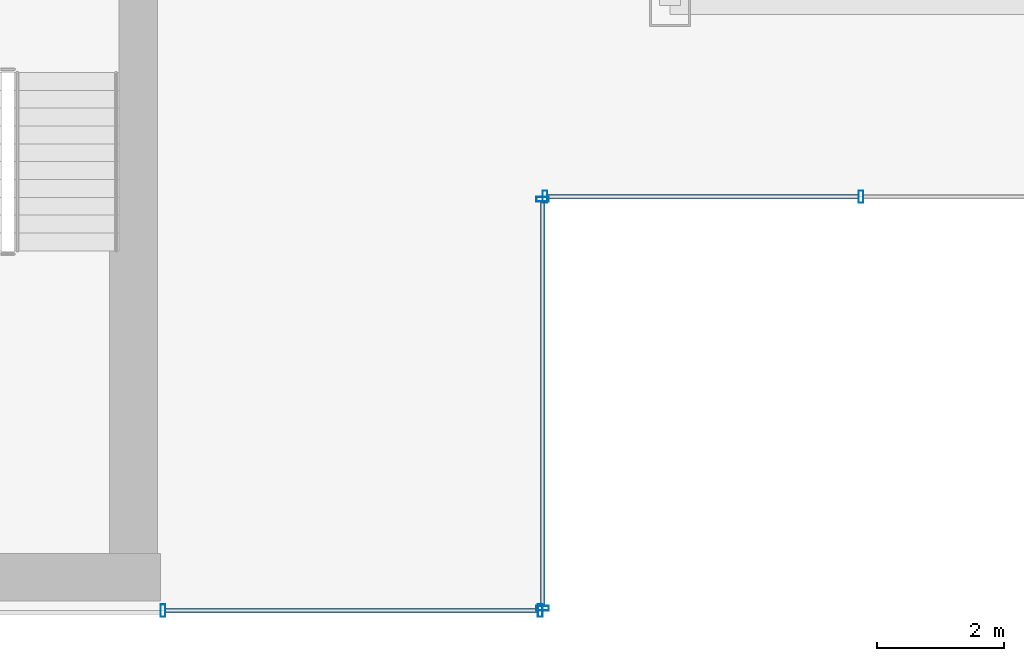
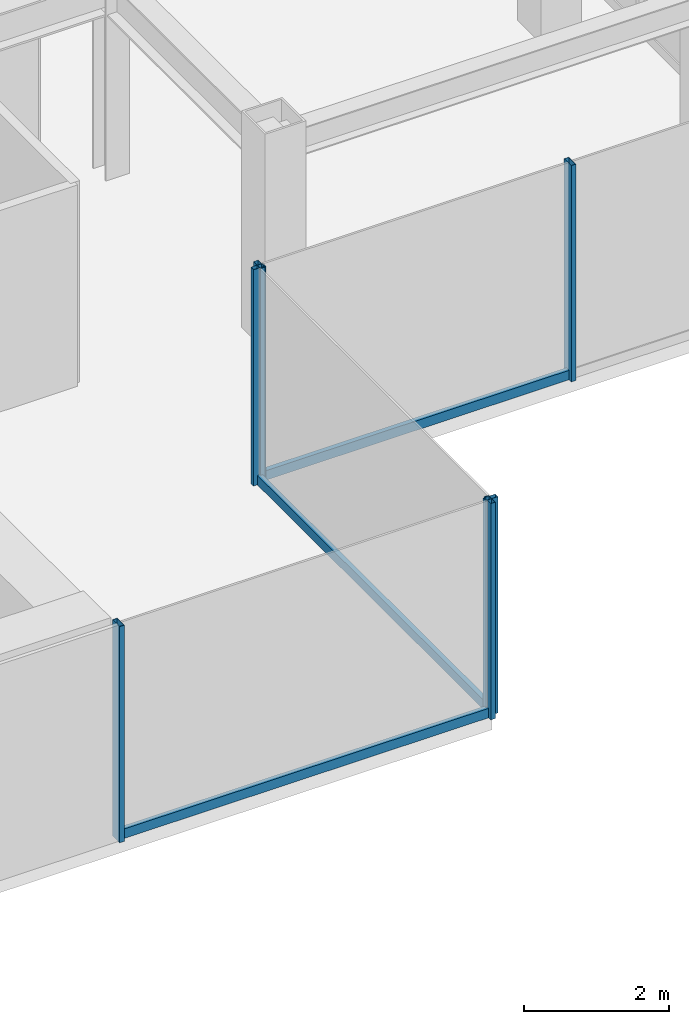
# One storey, part 9 of 25: 9 members, 3 elements without a shape of their own.
"""IFC4 building model written with IfcOpenShell, lengths in metres."""

from ifc_helpers import new_model, si_unit, derived_unit, direction, frame, origin, origin_2d, place, context, subcontext, project, spatial, hollow_rectangle, extrude, source, transform, mapped, material, material_profile, profile_set, type_object, element, aggregate, save


model = new_model("IFC4")

# Units and contexts
model_context = context("Model", 3, precision=1e-05, world=origin(), true_north=direction((0.0, 1.0)))
body_context = subcontext(model_context, "Body", "Model", "MODEL_VIEW")
ifc_project = project(units=[si_unit("LENGTHUNIT", "METRE"), si_unit("AREAUNIT", "SQUARE_METRE"), si_unit("VOLUMEUNIT", "CUBIC_METRE"), si_unit("PLANEANGLEUNIT", "RADIAN"), si_unit("MASSUNIT", "GRAM", prefix="KILO"), derived_unit("THERMALTRANSMITTANCEUNIT", [(si_unit("POWERUNIT", "WATT"), 1), (si_unit("LENGTHUNIT", "METRE"), -2), (si_unit("THERMODYNAMICTEMPERATUREUNIT", "KELVIN"), -1)])], contexts=[model_context])

# Site, building, storey
site_placement = place(None, origin())
site = spatial("IfcSite", under=ifc_project, at=site_placement, CompositionType="ELEMENT")
building_placement = place(site_placement, origin())
building = spatial("IfcBuilding", under=site, at=building_placement, Name="Skarnbrae Concourse Arena and Tower", CompositionType="ELEMENT")
storey_placement = place(building_placement, frame((0.0, 0.0, 155.199951171875)))
storey = spatial("IfcBuildingStorey", under=building, at=storey_placement, Name="L39", CompositionType="ELEMENT", Elevation=155.199951171875)

# Curtain wall, members
ifc_material = material(Name="Bronze anodised aluminium 6063-T6", Category="aluminium")
curtain_wall_type = type_object("IfcCurtainWallType", Name="CW-SYS-04-MIDZONE", PredefinedType="USERDEFINED", material=ifc_material)
curtain_wall_1_placement = place(storey_placement, origin())
curtain_wall_1 = element("IfcCurtainWall", 1, at=curtain_wall_1_placement, inside=storey, type_object=curtain_wall_type, Name="L39 Unitised curtain wall CW-L39-SE-SPINE", ObjectType="UNITISED CURTAIN WALL", PredefinedType="USERDEFINED")
ifc_material_profile_1 = material_profile(ifc_material, hollow_rectangle(XDim=0.074951171875, YDim=0.195068359375, WallThickness=0.00439453125, at=origin_2d()), Name="ALU-MULL-75X195")
ifc_profile_set_1 = profile_set([ifc_material_profile_1], Name="Bronze anodised aluminium 6063-T6")
member_type_1 = type_object("IfcMemberType", Name="CWM-CW-04", PredefinedType="MULLION", material=ifc_profile_set_1)
shared_shape_1 = source(origin(), body_context, "Body", "SweptSolid", [
    extrude(hollow_rectangle(XDim=0.074951171875, YDim=0.195068359375, WallThickness=0.00439453125, at=origin_2d()), origin(), (0.0, 0.0, 1.0), 3.650146484375),
])
member_1_placement = place(storey_placement, frame((34.03759765625, 0.0, 0.0), z_axis=(0.0, 0.0, 1.0), x_axis=(1.0, 0.0, 0.0)))
member_1 = element("IfcMember", 2, at=member_1_placement, type_object=member_type_1, Name="CW-L39-SE-SPINE Mullion 1", PredefinedType="MULLION", context=body_context, shape_type="MappedRepresentation", body=[
    mapped(shared_shape_1, transform((0.0, 0.0, 0.0))),
])
member_2_placement = place(storey_placement, frame((39.96240234375, 0.0, 0.0), z_axis=(0.0, 0.0, 1.0), x_axis=(1.0, 0.0, 0.0)))
member_2 = element("IfcMember", 3, at=member_2_placement, type_object=member_type_1, Name="CW-L39-SE-SPINE Mullion 2", PredefinedType="MULLION", context=body_context, shape_type="MappedRepresentation", body=[
    mapped(shared_shape_1, transform((0.0, 0.0, 0.0))),
])

curtain_wall_2_placement = place(storey_placement, origin())
curtain_wall_2 = element("IfcCurtainWall", 4, at=curtain_wall_2_placement, inside=storey, type_object=curtain_wall_type, Name="L39 Unitised curtain wall CW-L39-E02", ObjectType="UNITISED CURTAIN WALL", PredefinedType="USERDEFINED")
member_3_placement = place(storey_placement, frame((40.0, 0.03759765625, 0.0), z_axis=(0.0, 0.0, 1.0), x_axis=(0.0, 1.0, 0.0)))
member_3 = element("IfcMember", 5, at=member_3_placement, type_object=member_type_1, Name="CW-L39-E02 Mullion 1", PredefinedType="MULLION", context=body_context, shape_type="MappedRepresentation", body=[
    mapped(shared_shape_1, transform((0.0, 0.0, 0.0))),
])
member_4_placement = place(storey_placement, frame((40.0, 6.46240234375, 0.0), z_axis=(0.0, 0.0, 1.0), x_axis=(0.0, 1.0, 0.0)))
member_4 = element("IfcMember", 6, at=member_4_placement, type_object=member_type_1, Name="CW-L39-E02 Mullion 2", PredefinedType="MULLION", context=body_context, shape_type="MappedRepresentation", body=[
    mapped(shared_shape_1, transform((0.0, 0.0, 0.0))),
])

curtain_wall_3_placement = place(storey_placement, origin())
curtain_wall_3 = element("IfcCurtainWall", 7, at=curtain_wall_3_placement, inside=storey, type_object=curtain_wall_type, Name="L39 Unitised curtain wall CW-L39-E03", ObjectType="UNITISED CURTAIN WALL", PredefinedType="USERDEFINED")
member_5_placement = place(storey_placement, frame((40.03759765625, 6.5, 0.0), z_axis=(0.0, 0.0, 1.0), x_axis=(1.0, 0.0, 0.0)))
member_5 = element("IfcMember", 8, at=member_5_placement, type_object=member_type_1, Name="CW-L39-E03 Mullion 1", PredefinedType="MULLION", context=body_context, shape_type="MappedRepresentation", body=[
    mapped(shared_shape_1, transform((0.0, 0.0, 0.0))),
])
member_6_placement = place(storey_placement, frame((45.0, 6.5, 0.0), z_axis=(0.0, 0.0, 1.0), x_axis=(1.0, 0.0, 0.0)))
member_6 = element("IfcMember", 9, at=member_6_placement, type_object=member_type_1, Name="CW-L39-E03 Mullion 2", PredefinedType="MULLION", context=body_context, shape_type="MappedRepresentation", body=[
    mapped(shared_shape_1, transform((0.0, 0.0, 0.0))),
])
ifc_material_profile_2 = material_profile(ifc_material, hollow_rectangle(XDim=0.074951171875, YDim=0.159912109375, WallThickness=0.00439453125, at=origin_2d()), Name="ALU-TRAN-75X160")
ifc_profile_set_2 = profile_set([ifc_material_profile_2], Name="Bronze anodised aluminium 6063-T6")
member_type_2 = type_object("IfcMemberType", Name="CWT-CW-04", PredefinedType="USERDEFINED", material=ifc_profile_set_2)
shared_shape_2 = source(origin(), body_context, "Body", "SweptSolid", [
    extrude(hollow_rectangle(XDim=0.074951171875, YDim=0.159912109375, WallThickness=0.00439453125, at=origin_2d()), origin(), (0.0, 0.0, 1.0), 4.887451171875),
])
member_7_placement = place(storey_placement, frame((40.074951171875, 6.5, 0.080078125), z_axis=(1.0, 0.0, 0.0), x_axis=(0.0, 1.0, 0.0)))
member_7 = element("IfcMember", 10, at=member_7_placement, type_object=member_type_2, Name="CW-L39-E03 Transom 1", ObjectType="TRANSOM", PredefinedType="USERDEFINED", context=body_context, shape_type="MappedRepresentation", body=[
    mapped(shared_shape_2, transform((0.0, 0.0, 0.0))),
])
aggregate(curtain_wall_3, [member_5, member_6, member_7])

# Member
shared_shape_3 = source(origin(), body_context, "Body", "SweptSolid", [
    extrude(hollow_rectangle(XDim=0.074951171875, YDim=0.159912109375, WallThickness=0.00439453125, at=origin_2d()), origin(), (0.0, 0.0, 1.0), 5.85009765625),
])
member_8_placement = place(storey_placement, frame((34.074951171875, 0.0, 0.080078125), z_axis=(1.0, 0.0, 0.0), x_axis=(0.0, 1.0, 0.0)))
member_8 = element("IfcMember", 11, at=member_8_placement, type_object=member_type_2, Name="CW-L39-SE-SPINE Transom 1", ObjectType="TRANSOM", PredefinedType="USERDEFINED", context=body_context, shape_type="MappedRepresentation", body=[
    mapped(shared_shape_3, transform((0.0, 0.0, 0.0))),
])

aggregate(curtain_wall_1, [member_1, member_2, member_8])

shared_shape_4 = source(origin(), body_context, "Body", "SweptSolid", [
    extrude(hollow_rectangle(XDim=0.074951171875, YDim=0.159912109375, WallThickness=0.00439453125, at=origin_2d()), origin(), (0.0, 0.0, 1.0), 6.35009765625),
])
member_9_placement = place(storey_placement, frame((40.0, 0.074951171875, 0.080078125), z_axis=(0.0, 1.0, 0.0), x_axis=(-1.0, 0.0, 0.0)))
member_9 = element("IfcMember", 12, at=member_9_placement, type_object=member_type_2, Name="CW-L39-E02 Transom 1", ObjectType="TRANSOM", PredefinedType="USERDEFINED", context=body_context, shape_type="MappedRepresentation", body=[
    mapped(shared_shape_4, transform((0.0, 0.0, 0.0))),
])

aggregate(curtain_wall_2, [member_3, member_4, member_9])

save(model, "model.ifc")
